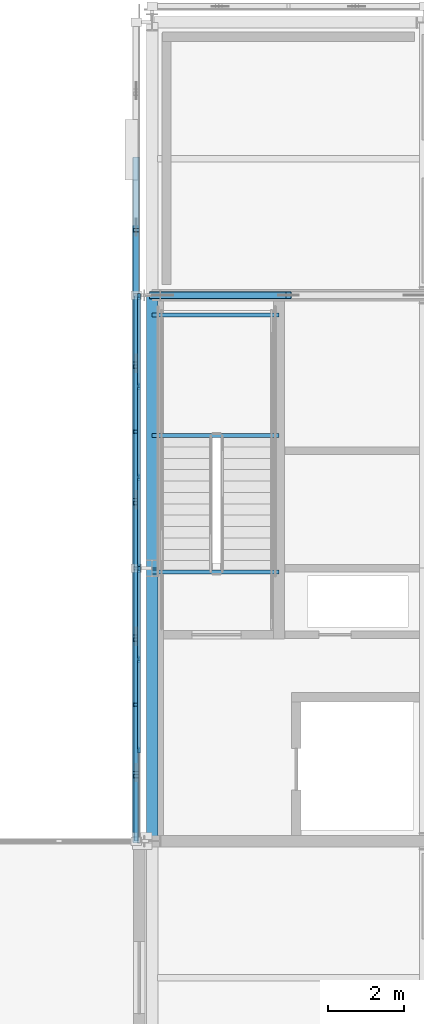
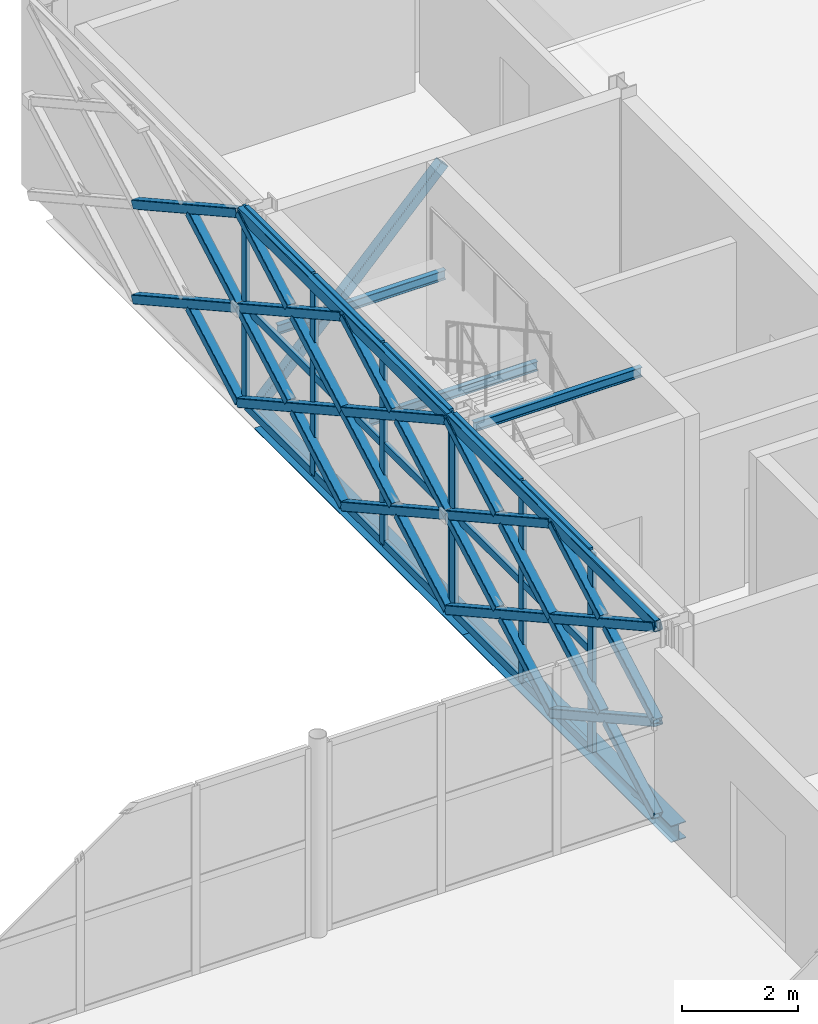
# One storey, part 57 of 146: 53 members, 5 beams, 2 elements without a shape of their own.
"""IFC4 building model written with IfcOpenShell, lengths in metres."""

from ifc_helpers import new_model, si_unit, direction, frame, origin, origin_2d, place, context, subcontext, project, spatial, rectangle, hollow_rectangle, i_section, extrude, material, material_profile, profile_set, type_object, element, aggregate, save


model = new_model("IFC4")

# Units and contexts
model_context = context("Model", 3, precision=1e-05, world=origin(), true_north=direction((0.0, 1.0)))
body_context = subcontext(model_context, "Body", "Model", "MODEL_VIEW")
ifc_project = project(units=[si_unit("LENGTHUNIT", "METRE"), si_unit("AREAUNIT", "SQUARE_METRE"), si_unit("VOLUMEUNIT", "CUBIC_METRE"), si_unit("PLANEANGLEUNIT", "RADIAN"), si_unit("MASSUNIT", "GRAM", prefix="KILO")], contexts=[model_context])

# Site, building, storey
site_placement = place(None, origin())
site = spatial("IfcSite", under=ifc_project, at=site_placement, CompositionType="ELEMENT")
building_placement = place(site_placement, origin())
building = spatial("IfcBuilding", under=site, at=building_placement, Name="Zlatovets Crest Museum", CompositionType="ELEMENT")
storey_placement = place(building_placement, frame((0.0, 0.0, 4.5)))
storey = spatial("IfcBuildingStorey", under=building, at=storey_placement, Name="L01", CompositionType="ELEMENT", Elevation=4.5)

# Beams
ifc_material_1 = material(Name="Structural steel S355J2", Category="steel")
ifc_material_profile_1 = material_profile(ifc_material_1, i_section(OverallWidth=0.300048828125, OverallDepth=0.35009765625, WebThickness=0.010009765625, FlangeThickness=0.017578125, FilletRadius=0.027099609375, at=origin_2d()), Name="HEA 360")
ifc_profile_set_1 = profile_set([ifc_material_profile_1], Name="Structural steel S355J2")
beam_type_1 = type_object("IfcBeamType", Name="Beam_B-03", PredefinedType="BEAM", material=ifc_profile_set_1)
for number, where, z_axis, x_axis, name in (
    (1, (57.60009765625, 93.60009765625, -0.39501953125), (0.0, 1.0, 0.0), (-1.0, 0.0, 0.0), "V1 L01 Grid Beam B-03"),
    (2, (57.60009765625, 100.800048828125, -0.39501953125), (0.0, 1.0, 0.0), (-1.0, 0.0, 0.0), "V1 L01 Grid Beam B-03"),
):
    element("IfcBeam", number, at=place(storey_placement, frame(where, z_axis=z_axis, x_axis=x_axis)), inside=storey, type_object=beam_type_1, Name=name, PredefinedType="BEAM", context=body_context, shape_type="SweptSolid", body=[
        extrude(i_section(OverallWidth=0.300048828125, OverallDepth=0.35009765625, WebThickness=0.010009765625, FlangeThickness=0.017578125, FilletRadius=0.027099609375, at=origin_2d()), origin(), (0.0, 0.0, 1.0), 7.199951171875),
    ])
ifc_material_profile_2 = material_profile(ifc_material_1, i_section(OverallWidth=0.10009765625, OverallDepth=0.199951171875, WebThickness=0.005615234375, FlangeThickness=0.008544921875, FilletRadius=0.011962890625, at=origin_2d()), Name="IPE 200")
ifc_profile_set_2 = profile_set([ifc_material_profile_2], Name="Structural steel S355J2")
beam_type_2 = type_object("IfcBeamType", Name="Beam_PR-02", PredefinedType="LINTEL", material=ifc_profile_set_2)
for number, where, z_axis, x_axis, name in (
    (3, (57.60009765625, 100.699951171875, 3.860107421875), (1.0, 0.0, 0.0), (0.0, 1.0, 0.0), "Core C1 L01 Stair Well Header Beam"),
    (4, (57.60009765625, 104.300048828125, 1.800048828125), (1.0, 0.0, 0.0), (0.0, 1.0, 0.0), "Core C1 L01 Half-Landing Support Beam"),
    (5, (57.60009765625, 107.47998046875, 1.800048828125), (1.0, 0.0, 0.0), (0.0, 1.0, 0.0), "Core C1 L01 Half-Landing Support Beam"),
):
    element("IfcBeam", number, at=place(storey_placement, frame(where, z_axis=z_axis, x_axis=x_axis)), inside=storey, type_object=beam_type_2, Name=name, PredefinedType="LINTEL", context=body_context, shape_type="SweptSolid", body=[
        extrude(i_section(OverallWidth=0.10009765625, OverallDepth=0.199951171875, WebThickness=0.005615234375, FlangeThickness=0.008544921875, FilletRadius=0.011962890625, at=origin_2d()), origin(), (0.0, 0.0, 1.0), 3.349853515625),
    ])

# Curtain wall, members
ifc_material_2 = material(Name="Bronze-anodised aluminium and low-E triple glass", Category="aluminium")
curtain_wall_type_1 = type_object("IfcCurtainWallType", Name="CW_CW-V1-L01-M3", PredefinedType="NOTDEFINED", material=ifc_material_2)
curtain_wall_1_placement = place(storey_placement, origin())
curtain_wall_1 = element("IfcCurtainWall", 6, at=curtain_wall_1_placement, inside=storey, type_object=curtain_wall_type_1, Name="V1 L01 Expressed Core Glazed Facade", PredefinedType="NOTDEFINED")
ifc_material_3 = material(Name="Bronze-anodised aluminium EN AW-6060", Category="aluminium")
ifc_material_profile_3 = material_profile(ifc_material_3, rectangle(XDim=0.080078125, YDim=0.159912109375, at=origin_2d()), Name="ALU 80x160")
ifc_profile_set_3 = profile_set([ifc_material_profile_3], Name="Bronze-anodised aluminium EN AW-6060")
member_type_1 = type_object("IfcMemberType", Name="CWMull_M1", PredefinedType="MULLION", material=ifc_profile_set_3)
member_1_placement = place(storey_placement, frame((57.260009765625, 107.969970703125, 0.0), z_axis=(0.0, 0.0, 1.0), x_axis=(1.0, 0.0, 0.0)))
member_1 = element("IfcMember", 7, at=member_1_placement, type_object=member_type_1, Name="CW-V1-L01-M3 mullion 1", PredefinedType="MULLION", context=body_context, shape_type="SweptSolid", body=[
    extrude(rectangle(XDim=0.080078125, YDim=0.159912109375, at=origin_2d()), origin(), (0.0, 0.0, 1.0), 4.199951171875),
])
member_2_placement = place(storey_placement, frame((57.260009765625, 105.60009765625, 0.0), z_axis=(0.0, 0.0, 1.0), x_axis=(1.0, 0.0, 0.0)))
member_2 = element("IfcMember", 8, at=member_2_placement, type_object=member_type_1, Name="CW-V1-L01-M3 mullion 2", PredefinedType="MULLION", context=body_context, shape_type="SweptSolid", body=[
    extrude(rectangle(XDim=0.080078125, YDim=0.159912109375, at=origin_2d()), origin(), (0.0, 0.0, 1.0), 4.199951171875),
])
member_3_placement = place(storey_placement, frame((57.260009765625, 103.199951171875, 0.0), z_axis=(0.0, 0.0, 1.0), x_axis=(1.0, 0.0, 0.0)))
member_3 = element("IfcMember", 9, at=member_3_placement, type_object=member_type_1, Name="CW-V1-L01-M3 mullion 3", PredefinedType="MULLION", context=body_context, shape_type="SweptSolid", body=[
    extrude(rectangle(XDim=0.080078125, YDim=0.159912109375, at=origin_2d()), origin(), (0.0, 0.0, 1.0), 4.199951171875),
])
member_4_placement = place(storey_placement, frame((57.260009765625, 100.830078125, 0.0), z_axis=(0.0, 0.0, 1.0), x_axis=(1.0, 0.0, 0.0)))
member_4 = element("IfcMember", 10, at=member_4_placement, type_object=member_type_1, Name="CW-V1-L01-M3 mullion 4", PredefinedType="MULLION", context=body_context, shape_type="SweptSolid", body=[
    extrude(rectangle(XDim=0.080078125, YDim=0.159912109375, at=origin_2d()), origin(), (0.0, 0.0, 1.0), 4.199951171875),
])

curtain_wall_type_2 = type_object("IfcCurtainWallType", Name="CW_CW-V1-L01-M0", PredefinedType="NOTDEFINED", material=ifc_material_2)
curtain_wall_2_placement = place(storey_placement, origin())
curtain_wall_2 = element("IfcCurtainWall", 11, at=curtain_wall_2_placement, inside=storey, type_object=curtain_wall_type_2, Name="V1 L01 Expressed Core Glazed Facade", PredefinedType="NOTDEFINED")
member_5_placement = place(storey_placement, frame((57.260009765625, 100.77001953125, 0.0), z_axis=(0.0, 0.0, 1.0), x_axis=(1.0, 0.0, 0.0)))
member_5 = element("IfcMember", 12, at=member_5_placement, type_object=member_type_1, Name="CW-V1-L01-M0 mullion 1", PredefinedType="MULLION", context=body_context, shape_type="SweptSolid", body=[
    extrude(rectangle(XDim=0.080078125, YDim=0.159912109375, at=origin_2d()), origin(), (0.0, 0.0, 1.0), 4.199951171875),
])
member_6_placement = place(storey_placement, frame((57.260009765625, 98.39990234375, 0.0), z_axis=(0.0, 0.0, 1.0), x_axis=(1.0, 0.0, 0.0)))
member_6 = element("IfcMember", 13, at=member_6_placement, type_object=member_type_1, Name="CW-V1-L01-M0 mullion 2", PredefinedType="MULLION", context=body_context, shape_type="SweptSolid", body=[
    extrude(rectangle(XDim=0.080078125, YDim=0.159912109375, at=origin_2d()), origin(), (0.0, 0.0, 1.0), 4.199951171875),
])
member_7_placement = place(storey_placement, frame((57.260009765625, 96.0, 0.0), z_axis=(0.0, 0.0, 1.0), x_axis=(1.0, 0.0, 0.0)))
member_7 = element("IfcMember", 14, at=member_7_placement, type_object=member_type_1, Name="CW-V1-L01-M0 mullion 3", PredefinedType="MULLION", context=body_context, shape_type="SweptSolid", body=[
    extrude(rectangle(XDim=0.080078125, YDim=0.159912109375, at=origin_2d()), origin(), (0.0, 0.0, 1.0), 4.199951171875),
])

# Member
ifc_material_profile_4 = material_profile(ifc_material_3, rectangle(XDim=0.080078125, YDim=0.159912109375, at=origin_2d()), Name="ALU 80x160")
ifc_profile_set_4 = profile_set([ifc_material_profile_4], Name="Bronze-anodised aluminium EN AW-6060")
member_type_2 = type_object("IfcMemberType", Name="CWTrans_T1", PredefinedType="USERDEFINED", material=ifc_profile_set_4)
member_8_placement = place(storey_placement, frame((57.260009765625, 107.93994140625, 0.030029296875), z_axis=(0.0, -1.0, 0.0), x_axis=(1.0, 0.0, 0.0)))
member_8 = element("IfcMember", 15, at=member_8_placement, type_object=member_type_2, Name="CW-V1-L01-M3 transom 1.1", ObjectType="TRANSOM", PredefinedType="USERDEFINED", context=body_context, shape_type="SweptSolid", body=[
    extrude(rectangle(XDim=0.080078125, YDim=0.159912109375, at=origin_2d()), origin(), (0.0, 0.0, 1.0), 2.31005859375),
])

member_9_placement = place(storey_placement, frame((57.260009765625, 107.93994140625, 2.10009765625), z_axis=(0.0, -1.0, 0.0), x_axis=(1.0, 0.0, 0.0)))
member_9 = element("IfcMember", 16, at=member_9_placement, type_object=member_type_2, Name="CW-V1-L01-M3 transom 1.2", ObjectType="TRANSOM", PredefinedType="USERDEFINED", context=body_context, shape_type="SweptSolid", body=[
    extrude(rectangle(XDim=0.080078125, YDim=0.159912109375, at=origin_2d()), origin(), (0.0, 0.0, 1.0), 2.31005859375),
])

member_10_placement = place(storey_placement, frame((57.260009765625, 107.93994140625, 4.169921875), z_axis=(0.0, -1.0, 0.0), x_axis=(1.0, 0.0, 0.0)))
member_10 = element("IfcMember", 17, at=member_10_placement, type_object=member_type_2, Name="CW-V1-L01-M3 transom 1.3", ObjectType="TRANSOM", PredefinedType="USERDEFINED", context=body_context, shape_type="SweptSolid", body=[
    extrude(rectangle(XDim=0.080078125, YDim=0.159912109375, at=origin_2d()), origin(), (0.0, 0.0, 1.0), 2.31005859375),
])

member_11_placement = place(storey_placement, frame((57.260009765625, 105.570068359375, 0.030029296875), z_axis=(0.0, -1.0, 0.0), x_axis=(1.0, 0.0, 0.0)))
member_11 = element("IfcMember", 18, at=member_11_placement, type_object=member_type_2, Name="CW-V1-L01-M3 transom 2.1", ObjectType="TRANSOM", PredefinedType="USERDEFINED", context=body_context, shape_type="SweptSolid", body=[
    extrude(rectangle(XDim=0.080078125, YDim=0.159912109375, at=origin_2d()), origin(), (0.0, 0.0, 1.0), 2.340087890625),
])

member_12_placement = place(storey_placement, frame((57.260009765625, 105.570068359375, 2.10009765625), z_axis=(0.0, -1.0, 0.0), x_axis=(1.0, 0.0, 0.0)))
member_12 = element("IfcMember", 19, at=member_12_placement, type_object=member_type_2, Name="CW-V1-L01-M3 transom 2.2", ObjectType="TRANSOM", PredefinedType="USERDEFINED", context=body_context, shape_type="SweptSolid", body=[
    extrude(rectangle(XDim=0.080078125, YDim=0.159912109375, at=origin_2d()), origin(), (0.0, 0.0, 1.0), 2.340087890625),
])

member_13_placement = place(storey_placement, frame((57.260009765625, 105.570068359375, 4.169921875), z_axis=(0.0, -1.0, 0.0), x_axis=(1.0, 0.0, 0.0)))
member_13 = element("IfcMember", 20, at=member_13_placement, type_object=member_type_2, Name="CW-V1-L01-M3 transom 2.3", ObjectType="TRANSOM", PredefinedType="USERDEFINED", context=body_context, shape_type="SweptSolid", body=[
    extrude(rectangle(XDim=0.080078125, YDim=0.159912109375, at=origin_2d()), origin(), (0.0, 0.0, 1.0), 2.340087890625),
])

member_14_placement = place(storey_placement, frame((57.260009765625, 103.169921875, 0.030029296875), z_axis=(0.0, -1.0, 0.0), x_axis=(1.0, 0.0, 0.0)))
member_14 = element("IfcMember", 21, at=member_14_placement, type_object=member_type_2, Name="CW-V1-L01-M3 transom 3.1", ObjectType="TRANSOM", PredefinedType="USERDEFINED", context=body_context, shape_type="SweptSolid", body=[
    extrude(rectangle(XDim=0.080078125, YDim=0.159912109375, at=origin_2d()), origin(), (0.0, 0.0, 1.0), 2.309814453125),
])

member_15_placement = place(storey_placement, frame((57.260009765625, 103.169921875, 2.10009765625), z_axis=(0.0, -1.0, 0.0), x_axis=(1.0, 0.0, 0.0)))
member_15 = element("IfcMember", 22, at=member_15_placement, type_object=member_type_2, Name="CW-V1-L01-M3 transom 3.2", ObjectType="TRANSOM", PredefinedType="USERDEFINED", context=body_context, shape_type="SweptSolid", body=[
    extrude(rectangle(XDim=0.080078125, YDim=0.159912109375, at=origin_2d()), origin(), (0.0, 0.0, 1.0), 2.309814453125),
])

member_16_placement = place(storey_placement, frame((57.260009765625, 103.169921875, 4.169921875), z_axis=(0.0, -1.0, 0.0), x_axis=(1.0, 0.0, 0.0)))
member_16 = element("IfcMember", 23, at=member_16_placement, type_object=member_type_2, Name="CW-V1-L01-M3 transom 3.3", ObjectType="TRANSOM", PredefinedType="USERDEFINED", context=body_context, shape_type="SweptSolid", body=[
    extrude(rectangle(XDim=0.080078125, YDim=0.159912109375, at=origin_2d()), origin(), (0.0, 0.0, 1.0), 2.309814453125),
])

aggregate(curtain_wall_1, [member_1, member_2, member_3, member_4, member_8, member_9, member_10, member_11, member_12, member_13, member_14, member_15, member_16])

member_17_placement = place(storey_placement, frame((57.260009765625, 100.739990234375, 0.030029296875), z_axis=(0.0, -1.0, 0.0), x_axis=(1.0, 0.0, 0.0)))
member_17 = element("IfcMember", 24, at=member_17_placement, type_object=member_type_2, Name="CW-V1-L01-M0 transom 1.1", ObjectType="TRANSOM", PredefinedType="USERDEFINED", context=body_context, shape_type="SweptSolid", body=[
    extrude(rectangle(XDim=0.080078125, YDim=0.159912109375, at=origin_2d()), origin(), (0.0, 0.0, 1.0), 2.31005859375),
])

member_18_placement = place(storey_placement, frame((57.260009765625, 100.739990234375, 2.10009765625), z_axis=(0.0, -1.0, 0.0), x_axis=(1.0, 0.0, 0.0)))
member_18 = element("IfcMember", 25, at=member_18_placement, type_object=member_type_2, Name="CW-V1-L01-M0 transom 1.2", ObjectType="TRANSOM", PredefinedType="USERDEFINED", context=body_context, shape_type="SweptSolid", body=[
    extrude(rectangle(XDim=0.080078125, YDim=0.159912109375, at=origin_2d()), origin(), (0.0, 0.0, 1.0), 2.31005859375),
])

member_19_placement = place(storey_placement, frame((57.260009765625, 100.739990234375, 4.169921875), z_axis=(0.0, -1.0, 0.0), x_axis=(1.0, 0.0, 0.0)))
member_19 = element("IfcMember", 26, at=member_19_placement, type_object=member_type_2, Name="CW-V1-L01-M0 transom 1.3", ObjectType="TRANSOM", PredefinedType="USERDEFINED", context=body_context, shape_type="SweptSolid", body=[
    extrude(rectangle(XDim=0.080078125, YDim=0.159912109375, at=origin_2d()), origin(), (0.0, 0.0, 1.0), 2.31005859375),
])

member_20_placement = place(storey_placement, frame((57.260009765625, 98.3701171875, 0.030029296875), z_axis=(0.0, -1.0, 0.0), x_axis=(1.0, 0.0, 0.0)))
member_20 = element("IfcMember", 27, at=member_20_placement, type_object=member_type_2, Name="CW-V1-L01-M0 transom 2.1", ObjectType="TRANSOM", PredefinedType="USERDEFINED", context=body_context, shape_type="SweptSolid", body=[
    extrude(rectangle(XDim=0.080078125, YDim=0.159912109375, at=origin_2d()), origin(), (0.0, 0.0, 1.0), 2.340087890625),
])

member_21_placement = place(storey_placement, frame((57.260009765625, 98.3701171875, 2.10009765625), z_axis=(0.0, -1.0, 0.0), x_axis=(1.0, 0.0, 0.0)))
member_21 = element("IfcMember", 28, at=member_21_placement, type_object=member_type_2, Name="CW-V1-L01-M0 transom 2.2", ObjectType="TRANSOM", PredefinedType="USERDEFINED", context=body_context, shape_type="SweptSolid", body=[
    extrude(rectangle(XDim=0.080078125, YDim=0.159912109375, at=origin_2d()), origin(), (0.0, 0.0, 1.0), 2.340087890625),
])

member_22_placement = place(storey_placement, frame((57.260009765625, 98.3701171875, 4.169921875), z_axis=(0.0, -1.0, 0.0), x_axis=(1.0, 0.0, 0.0)))
member_22 = element("IfcMember", 29, at=member_22_placement, type_object=member_type_2, Name="CW-V1-L01-M0 transom 2.3", ObjectType="TRANSOM", PredefinedType="USERDEFINED", context=body_context, shape_type="SweptSolid", body=[
    extrude(rectangle(XDim=0.080078125, YDim=0.159912109375, at=origin_2d()), origin(), (0.0, 0.0, 1.0), 2.340087890625),
])

aggregate(curtain_wall_2, [member_5, member_6, member_7, member_17, member_18, member_19, member_20, member_21, member_22])

# Members
ifc_material_4 = material(Name="Weathering bronze-steel S355J2W", Category="steel")
ifc_material_profile_5 = material_profile(ifc_material_4, hollow_rectangle(XDim=0.179931640625, YDim=0.179931640625, WallThickness=0.010009765625, InnerFilletRadius=0.010009765625, OuterFilletRadius=0.02001953125, at=origin_2d()), Name="SHS 180x180x10.0")
ifc_profile_set_5 = profile_set([ifc_material_profile_5], Name="Weathering bronze-steel S355J2W")
member_type_3 = type_object("IfcMemberType", Name="Lattice_XL-01", PredefinedType="BRACE", material=ifc_profile_set_5)
member_23_placement = place(storey_placement, frame((57.179931640625, 111.60009765625, 0.10009765625), z_axis=(0.0, -0.874162868644, 0.485632864501), x_axis=(1.0, 0.0, 0.0)))
element("IfcMember", 30, at=member_23_placement, inside=storey, type_object=member_type_3, Name="Continuous Bronze Lattice Diagonal", PredefinedType="BRACE", context=body_context, shape_type="SweptSolid", body=[
    extrude(hollow_rectangle(XDim=0.179931640625, YDim=0.179931640625, WallThickness=0.010009765625, InnerFilletRadius=0.010009765625, OuterFilletRadius=0.02001953125, at=origin_2d()), origin(), (0.0, 0.0, 1.0), 4.118408203125),
])
member_24_placement = place(storey_placement, frame((57.179931640625, 109.717041015625, 1.053955078125), z_axis=(0.0, -0.874169001841, -0.485621824284), x_axis=(1.0, 0.0, 0.0)))
element("IfcMember", 31, at=member_24_placement, inside=storey, type_object=member_type_3, Name="Split Crossing Bronze Lattice Diagonal Lower", PredefinedType="BRACE", context=body_context, shape_type="SweptSolid", body=[
    extrude(hollow_rectangle(XDim=0.179931640625, YDim=0.179931640625, WallThickness=0.010009765625, InnerFilletRadius=0.010009765625, OuterFilletRadius=0.02001953125, at=origin_2d()), origin(), (0.0, 0.0, 1.0), 1.964111328125),
])
member_25_placement = place(storey_placement, frame((57.179931640625, 111.60009765625, 2.10009765625), z_axis=(0.0, -0.874162868644, 0.485632864501), x_axis=(1.0, 0.0, 0.0)))
element("IfcMember", 32, at=member_25_placement, inside=storey, type_object=member_type_3, Name="Continuous Bronze Lattice Diagonal", PredefinedType="BRACE", context=body_context, shape_type="SweptSolid", body=[
    extrude(hollow_rectangle(XDim=0.179931640625, YDim=0.179931640625, WallThickness=0.010009765625, InnerFilletRadius=0.010009765625, OuterFilletRadius=0.02001953125, at=origin_2d()), origin(), (0.0, 0.0, 1.0), 4.118408203125),
])
member_26_placement = place(storey_placement, frame((57.179931640625, 109.717041015625, 3.053955078125), z_axis=(0.0, -0.874169001841, -0.485621824284), x_axis=(1.0, 0.0, 0.0)))
element("IfcMember", 33, at=member_26_placement, inside=storey, type_object=member_type_3, Name="Split Crossing Bronze Lattice Diagonal Lower", PredefinedType="BRACE", context=body_context, shape_type="SweptSolid", body=[
    extrude(hollow_rectangle(XDim=0.179931640625, YDim=0.179931640625, WallThickness=0.010009765625, InnerFilletRadius=0.010009765625, OuterFilletRadius=0.02001953125, at=origin_2d()), origin(), (0.0, 0.0, 1.0), 1.964111328125),
])
member_27_placement = place(storey_placement, frame((57.179931640625, 108.0, 0.10009765625), z_axis=(0.0, -0.874162868644, 0.485632864501), x_axis=(1.0, 0.0, 0.0)))
element("IfcMember", 34, at=member_27_placement, inside=storey, type_object=member_type_3, Name="Continuous Bronze Lattice Diagonal", PredefinedType="BRACE", context=body_context, shape_type="SweptSolid", body=[
    extrude(hollow_rectangle(XDim=0.179931640625, YDim=0.179931640625, WallThickness=0.010009765625, InnerFilletRadius=0.010009765625, OuterFilletRadius=0.02001953125, at=origin_2d()), origin(), (0.0, 0.0, 1.0), 4.118408203125),
])
member_28_placement = place(storey_placement, frame((57.179931640625, 108.0, 2.10009765625), z_axis=(0.0, -0.874116234569, -0.48571679862), x_axis=(1.0, 0.0, 0.0)))
element("IfcMember", 35, at=member_28_placement, inside=storey, type_object=member_type_3, Name="Split Crossing Bronze Lattice Diagonal Upper", PredefinedType="BRACE", context=body_context, shape_type="SweptSolid", body=[
    extrude(hollow_rectangle(XDim=0.179931640625, YDim=0.179931640625, WallThickness=0.010009765625, InnerFilletRadius=0.010009765625, OuterFilletRadius=0.02001953125, at=origin_2d()), origin(), (0.0, 0.0, 1.0), 1.96435546875),
])
member_29_placement = place(storey_placement, frame((57.179931640625, 106.116943359375, 1.053955078125), z_axis=(0.0, -0.874169001841, -0.485621824284), x_axis=(1.0, 0.0, 0.0)))
element("IfcMember", 36, at=member_29_placement, inside=storey, type_object=member_type_3, Name="Split Crossing Bronze Lattice Diagonal Lower", PredefinedType="BRACE", context=body_context, shape_type="SweptSolid", body=[
    extrude(hollow_rectangle(XDim=0.179931640625, YDim=0.179931640625, WallThickness=0.010009765625, InnerFilletRadius=0.010009765625, OuterFilletRadius=0.02001953125, at=origin_2d()), origin(), (0.0, 0.0, 1.0), 1.964111328125),
])
member_30_placement = place(storey_placement, frame((57.179931640625, 104.39990234375, 0.10009765625), z_axis=(0.0, -0.874148886685, 0.485658031857), x_axis=(1.0, 0.0, 0.0)))
element("IfcMember", 37, at=member_30_placement, inside=storey, type_object=member_type_3, Name="Continuous Bronze Lattice Diagonal", PredefinedType="BRACE", context=body_context, shape_type="SweptSolid", body=[
    extrude(hollow_rectangle(XDim=0.179931640625, YDim=0.179931640625, WallThickness=0.010009765625, InnerFilletRadius=0.010009765625, OuterFilletRadius=0.02001953125, at=origin_2d()), origin(), (0.0, 0.0, 1.0), 4.1181640625),
])
for number, where, z_axis, x_axis, name in (
    (38, (57.179931640625, 104.39990234375, 2.10009765625), (0.0, -0.874086907708, -0.485769572713), (1.0, 0.0, 0.0), "Split Crossing Bronze Lattice Diagonal Upper"),
    (39, (57.179931640625, 102.51708984375, 1.053955078125), (0.0, -0.874169001841, -0.485621824284), (1.0, 0.0, 0.0), "Split Crossing Bronze Lattice Diagonal Lower"),
):
    element("IfcMember", number, at=place(storey_placement, frame(where, z_axis=z_axis, x_axis=x_axis)), inside=storey, type_object=member_type_3, Name=name, PredefinedType="BRACE", context=body_context, shape_type="SweptSolid", body=[
        extrude(hollow_rectangle(XDim=0.179931640625, YDim=0.179931640625, WallThickness=0.010009765625, InnerFilletRadius=0.010009765625, OuterFilletRadius=0.02001953125, at=origin_2d()), origin(), (0.0, 0.0, 1.0), 1.964111328125),
    ])
member_31_placement = place(storey_placement, frame((57.179931640625, 108.0, 2.10009765625), z_axis=(0.0, -0.874162868644, 0.485632864501), x_axis=(1.0, 0.0, 0.0)))
element("IfcMember", 40, at=member_31_placement, inside=storey, type_object=member_type_3, Name="Continuous Bronze Lattice Diagonal", PredefinedType="BRACE", context=body_context, shape_type="SweptSolid", body=[
    extrude(hollow_rectangle(XDim=0.179931640625, YDim=0.179931640625, WallThickness=0.010009765625, InnerFilletRadius=0.010009765625, OuterFilletRadius=0.02001953125, at=origin_2d()), origin(), (0.0, 0.0, 1.0), 4.118408203125),
])
member_32_placement = place(storey_placement, frame((57.179931640625, 108.0, 4.10009765625), z_axis=(0.0, -0.874116234569, -0.48571679862), x_axis=(1.0, 0.0, 0.0)))
element("IfcMember", 41, at=member_32_placement, inside=storey, type_object=member_type_3, Name="Split Crossing Bronze Lattice Diagonal Upper", PredefinedType="BRACE", context=body_context, shape_type="SweptSolid", body=[
    extrude(hollow_rectangle(XDim=0.179931640625, YDim=0.179931640625, WallThickness=0.010009765625, InnerFilletRadius=0.010009765625, OuterFilletRadius=0.02001953125, at=origin_2d()), origin(), (0.0, 0.0, 1.0), 1.96435546875),
])
member_33_placement = place(storey_placement, frame((57.179931640625, 106.116943359375, 3.053955078125), z_axis=(0.0, -0.874169001841, -0.485621824284), x_axis=(1.0, 0.0, 0.0)))
element("IfcMember", 42, at=member_33_placement, inside=storey, type_object=member_type_3, Name="Split Crossing Bronze Lattice Diagonal Lower", PredefinedType="BRACE", context=body_context, shape_type="SweptSolid", body=[
    extrude(hollow_rectangle(XDim=0.179931640625, YDim=0.179931640625, WallThickness=0.010009765625, InnerFilletRadius=0.010009765625, OuterFilletRadius=0.02001953125, at=origin_2d()), origin(), (0.0, 0.0, 1.0), 1.964111328125),
])
member_34_placement = place(storey_placement, frame((57.179931640625, 104.39990234375, 2.10009765625), z_axis=(0.0, -0.874148886685, 0.485658031857), x_axis=(1.0, 0.0, 0.0)))
element("IfcMember", 43, at=member_34_placement, inside=storey, type_object=member_type_3, Name="Continuous Bronze Lattice Diagonal", PredefinedType="BRACE", context=body_context, shape_type="SweptSolid", body=[
    extrude(hollow_rectangle(XDim=0.179931640625, YDim=0.179931640625, WallThickness=0.010009765625, InnerFilletRadius=0.010009765625, OuterFilletRadius=0.02001953125, at=origin_2d()), origin(), (0.0, 0.0, 1.0), 4.1181640625),
])
for number, where, z_axis, x_axis, name in (
    (44, (57.179931640625, 104.39990234375, 4.10009765625), (0.0, -0.874086907708, -0.485769572713), (1.0, 0.0, 0.0), "Split Crossing Bronze Lattice Diagonal Upper"),
    (45, (57.179931640625, 102.51708984375, 3.053955078125), (0.0, -0.874169001841, -0.485621824284), (1.0, 0.0, 0.0), "Split Crossing Bronze Lattice Diagonal Lower"),
):
    element("IfcMember", number, at=place(storey_placement, frame(where, z_axis=z_axis, x_axis=x_axis)), inside=storey, type_object=member_type_3, Name=name, PredefinedType="BRACE", context=body_context, shape_type="SweptSolid", body=[
        extrude(hollow_rectangle(XDim=0.179931640625, YDim=0.179931640625, WallThickness=0.010009765625, InnerFilletRadius=0.010009765625, OuterFilletRadius=0.02001953125, at=origin_2d()), origin(), (0.0, 0.0, 1.0), 1.964111328125),
    ])
member_35_placement = place(storey_placement, frame((57.179931640625, 100.800048828125, 0.10009765625), z_axis=(0.0, -0.874162868644, 0.485632864501), x_axis=(1.0, 0.0, 0.0)))
element("IfcMember", 46, at=member_35_placement, inside=storey, type_object=member_type_3, Name="Continuous Bronze Lattice Diagonal", PredefinedType="BRACE", context=body_context, shape_type="SweptSolid", body=[
    extrude(hollow_rectangle(XDim=0.179931640625, YDim=0.179931640625, WallThickness=0.010009765625, InnerFilletRadius=0.010009765625, OuterFilletRadius=0.02001953125, at=origin_2d()), origin(), (0.0, 0.0, 1.0), 4.118408203125),
])
member_36_placement = place(storey_placement, frame((57.179931640625, 100.800048828125, 2.10009765625), z_axis=(0.0, -0.874116234569, -0.48571679862), x_axis=(1.0, 0.0, 0.0)))
element("IfcMember", 47, at=member_36_placement, inside=storey, type_object=member_type_3, Name="Split Crossing Bronze Lattice Diagonal Upper", PredefinedType="BRACE", context=body_context, shape_type="SweptSolid", body=[
    extrude(hollow_rectangle(XDim=0.179931640625, YDim=0.179931640625, WallThickness=0.010009765625, InnerFilletRadius=0.010009765625, OuterFilletRadius=0.02001953125, at=origin_2d()), origin(), (0.0, 0.0, 1.0), 1.96435546875),
])
member_37_placement = place(storey_placement, frame((57.179931640625, 98.9169921875, 1.053955078125), z_axis=(0.0, -0.874169001841, -0.485621824284), x_axis=(1.0, 0.0, 0.0)))
element("IfcMember", 48, at=member_37_placement, inside=storey, type_object=member_type_3, Name="Split Crossing Bronze Lattice Diagonal Lower", PredefinedType="BRACE", context=body_context, shape_type="SweptSolid", body=[
    extrude(hollow_rectangle(XDim=0.179931640625, YDim=0.179931640625, WallThickness=0.010009765625, InnerFilletRadius=0.010009765625, OuterFilletRadius=0.02001953125, at=origin_2d()), origin(), (0.0, 0.0, 1.0), 1.964111328125),
])
member_38_placement = place(storey_placement, frame((57.179931640625, 97.199951171875, 0.10009765625), z_axis=(0.0, -0.874148886685, 0.485658031857), x_axis=(1.0, 0.0, 0.0)))
element("IfcMember", 49, at=member_38_placement, inside=storey, type_object=member_type_3, Name="Continuous Bronze Lattice Diagonal", PredefinedType="BRACE", context=body_context, shape_type="SweptSolid", body=[
    extrude(hollow_rectangle(XDim=0.179931640625, YDim=0.179931640625, WallThickness=0.010009765625, InnerFilletRadius=0.010009765625, OuterFilletRadius=0.02001953125, at=origin_2d()), origin(), (0.0, 0.0, 1.0), 4.1181640625),
])
member_39_placement = place(storey_placement, frame((57.179931640625, 97.199951171875, 2.10009765625), z_axis=(0.0, -0.874116234569, -0.48571679862), x_axis=(1.0, 0.0, 0.0)))
element("IfcMember", 50, at=member_39_placement, inside=storey, type_object=member_type_3, Name="Split Crossing Bronze Lattice Diagonal Upper", PredefinedType="BRACE", context=body_context, shape_type="SweptSolid", body=[
    extrude(hollow_rectangle(XDim=0.179931640625, YDim=0.179931640625, WallThickness=0.010009765625, InnerFilletRadius=0.010009765625, OuterFilletRadius=0.02001953125, at=origin_2d()), origin(), (0.0, 0.0, 1.0), 1.96435546875),
])
member_40_placement = place(storey_placement, frame((57.179931640625, 95.31689453125, 1.053955078125), z_axis=(0.0, -0.874139684676, -0.48567459443), x_axis=(1.0, 0.0, 0.0)))
element("IfcMember", 51, at=member_40_placement, inside=storey, type_object=member_type_3, Name="Split Crossing Bronze Lattice Diagonal Lower", PredefinedType="BRACE", context=body_context, shape_type="SweptSolid", body=[
    extrude(hollow_rectangle(XDim=0.179931640625, YDim=0.179931640625, WallThickness=0.010009765625, InnerFilletRadius=0.010009765625, OuterFilletRadius=0.02001953125, at=origin_2d()), origin(), (0.0, 0.0, 1.0), 1.9638671875),
])
member_41_placement = place(storey_placement, frame((57.179931640625, 100.800048828125, 2.10009765625), z_axis=(0.0, -0.874162868644, 0.485632864501), x_axis=(1.0, 0.0, 0.0)))
element("IfcMember", 52, at=member_41_placement, inside=storey, type_object=member_type_3, Name="Continuous Bronze Lattice Diagonal", PredefinedType="BRACE", context=body_context, shape_type="SweptSolid", body=[
    extrude(hollow_rectangle(XDim=0.179931640625, YDim=0.179931640625, WallThickness=0.010009765625, InnerFilletRadius=0.010009765625, OuterFilletRadius=0.02001953125, at=origin_2d()), origin(), (0.0, 0.0, 1.0), 4.118408203125),
])
member_42_placement = place(storey_placement, frame((57.179931640625, 100.800048828125, 4.10009765625), z_axis=(0.0, -0.874116234569, -0.48571679862), x_axis=(1.0, 0.0, 0.0)))
element("IfcMember", 53, at=member_42_placement, inside=storey, type_object=member_type_3, Name="Split Crossing Bronze Lattice Diagonal Upper", PredefinedType="BRACE", context=body_context, shape_type="SweptSolid", body=[
    extrude(hollow_rectangle(XDim=0.179931640625, YDim=0.179931640625, WallThickness=0.010009765625, InnerFilletRadius=0.010009765625, OuterFilletRadius=0.02001953125, at=origin_2d()), origin(), (0.0, 0.0, 1.0), 1.96435546875),
])
member_43_placement = place(storey_placement, frame((57.179931640625, 98.9169921875, 3.053955078125), z_axis=(0.0, -0.874169001841, -0.485621824284), x_axis=(1.0, 0.0, 0.0)))
element("IfcMember", 54, at=member_43_placement, inside=storey, type_object=member_type_3, Name="Split Crossing Bronze Lattice Diagonal Lower", PredefinedType="BRACE", context=body_context, shape_type="SweptSolid", body=[
    extrude(hollow_rectangle(XDim=0.179931640625, YDim=0.179931640625, WallThickness=0.010009765625, InnerFilletRadius=0.010009765625, OuterFilletRadius=0.02001953125, at=origin_2d()), origin(), (0.0, 0.0, 1.0), 1.964111328125),
])
member_44_placement = place(storey_placement, frame((57.179931640625, 97.199951171875, 2.10009765625), z_axis=(0.0, -0.874148886685, 0.485658031857), x_axis=(1.0, 0.0, 0.0)))
element("IfcMember", 55, at=member_44_placement, inside=storey, type_object=member_type_3, Name="Continuous Bronze Lattice Diagonal", PredefinedType="BRACE", context=body_context, shape_type="SweptSolid", body=[
    extrude(hollow_rectangle(XDim=0.179931640625, YDim=0.179931640625, WallThickness=0.010009765625, InnerFilletRadius=0.010009765625, OuterFilletRadius=0.02001953125, at=origin_2d()), origin(), (0.0, 0.0, 1.0), 4.1181640625),
])
member_45_placement = place(storey_placement, frame((57.179931640625, 97.199951171875, 4.10009765625), z_axis=(0.0, -0.874116234569, -0.48571679862), x_axis=(1.0, 0.0, 0.0)))
element("IfcMember", 56, at=member_45_placement, inside=storey, type_object=member_type_3, Name="Split Crossing Bronze Lattice Diagonal Upper", PredefinedType="BRACE", context=body_context, shape_type="SweptSolid", body=[
    extrude(hollow_rectangle(XDim=0.179931640625, YDim=0.179931640625, WallThickness=0.010009765625, InnerFilletRadius=0.010009765625, OuterFilletRadius=0.02001953125, at=origin_2d()), origin(), (0.0, 0.0, 1.0), 1.96435546875),
])
member_46_placement = place(storey_placement, frame((57.179931640625, 95.31689453125, 3.053955078125), z_axis=(0.0, -0.874139684676, -0.48567459443), x_axis=(1.0, 0.0, 0.0)))
element("IfcMember", 57, at=member_46_placement, inside=storey, type_object=member_type_3, Name="Split Crossing Bronze Lattice Diagonal Lower", PredefinedType="BRACE", context=body_context, shape_type="SweptSolid", body=[
    extrude(hollow_rectangle(XDim=0.179931640625, YDim=0.179931640625, WallThickness=0.010009765625, InnerFilletRadius=0.010009765625, OuterFilletRadius=0.02001953125, at=origin_2d()), origin(), (0.0, 0.0, 1.0), 1.9638671875),
])
ifc_material_profile_6 = material_profile(ifc_material_4, hollow_rectangle(XDim=0.1201171875, YDim=0.239990234375, WallThickness=0.010009765625, InnerFilletRadius=0.010009765625, OuterFilletRadius=0.02001953125, at=origin_2d()), Name="RHS 120x240x10.0")
ifc_profile_set_6 = profile_set([ifc_material_profile_6], Name="Weathering bronze-steel S355J2W")
member_type_4 = type_object("IfcMemberType", Name="Lattice_XL-04", PredefinedType="CHORD", material=ifc_profile_set_6)
for number, where, z_axis, x_axis, name in (
    (58, (57.179931640625, 108.0, 4.10009765625), (0.0, -1.0, 0.0), (1.0, 0.0, 0.0), "Art Nouveau Woven Cage Collector Ring Chord"),
    (59, (57.179931640625, 100.800048828125, 4.10009765625), (0.0, -1.0, 0.0), (1.0, 0.0, 0.0), "Art Nouveau Woven Cage Collector Ring Chord"),
):
    element("IfcMember", number, at=place(storey_placement, frame(where, z_axis=z_axis, x_axis=x_axis)), inside=storey, type_object=member_type_4, Name=name, PredefinedType="CHORD", context=body_context, shape_type="SweptSolid", body=[
        extrude(hollow_rectangle(XDim=0.1201171875, YDim=0.239990234375, WallThickness=0.010009765625, InnerFilletRadius=0.010009765625, OuterFilletRadius=0.02001953125, at=origin_2d()), origin(), (0.0, 0.0, 1.0), 7.199951171875),
    ])
ifc_material_profile_7 = material_profile(ifc_material_1, hollow_rectangle(XDim=0.199951171875, YDim=0.199951171875, WallThickness=0.012451171875, InnerFilletRadius=0.012451171875, OuterFilletRadius=0.02490234375, at=origin_2d()), Name="SHS 200x200x12.5")
ifc_profile_set_7 = profile_set([ifc_material_profile_7], Name="Structural steel S355J2")
member_type_5 = type_object("IfcMemberType", Name="Member_BR-01", PredefinedType="BRACE", material=ifc_profile_set_7)
member_47_placement = place(storey_placement, frame((57.60009765625, 108.0, 0.0), z_axis=(0.692517163318, 0.0, 0.721401399021), x_axis=(0.0, 1.0, 0.0)))
element("IfcMember", 60, at=member_47_placement, inside=storey, type_object=member_type_5, Name="V1 L01 Concentric Seismic Brace", PredefinedType="BRACE", context=body_context, shape_type="SweptSolid", body=[
    extrude(hollow_rectangle(XDim=0.199951171875, YDim=0.199951171875, WallThickness=0.012451171875, InnerFilletRadius=0.012451171875, OuterFilletRadius=0.02490234375, at=origin_2d()), origin(), (0.0, 0.0, 1.0), 5.1982421875),
])

save(model, "model.ifc")
